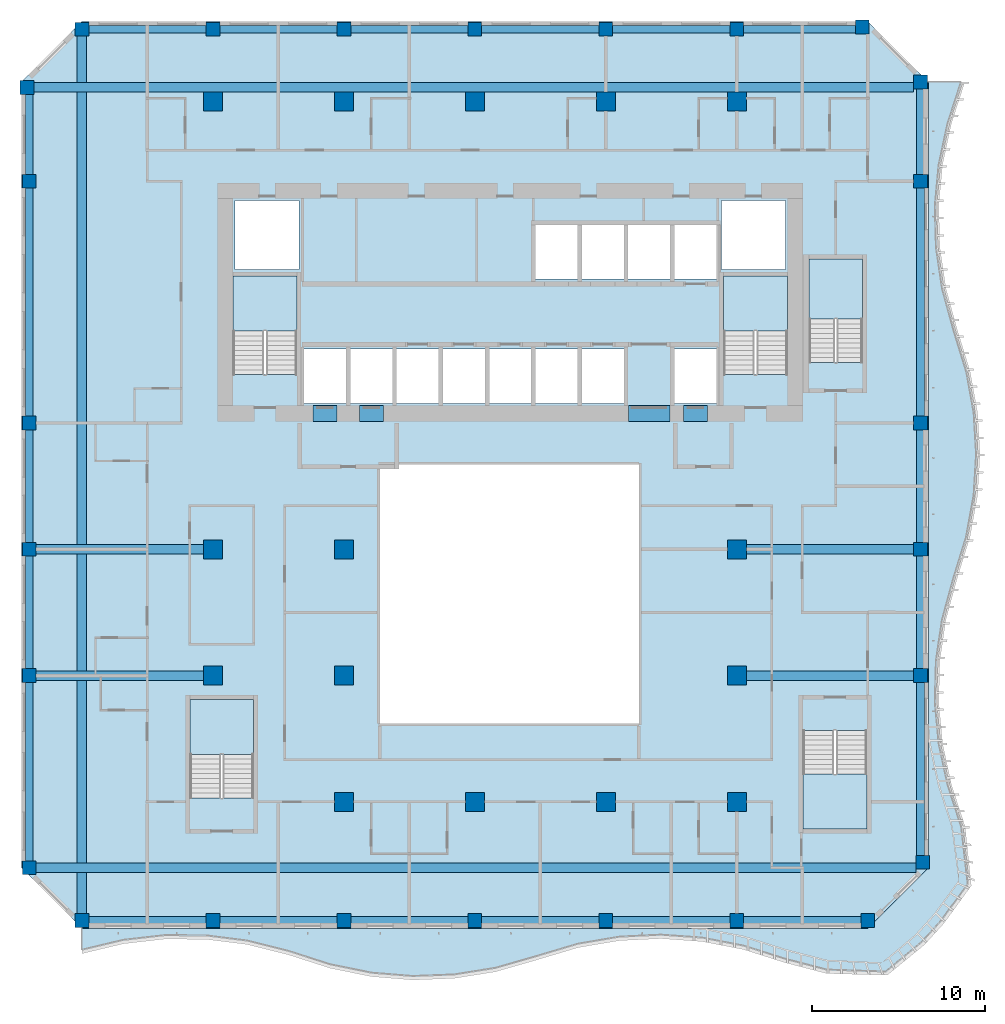
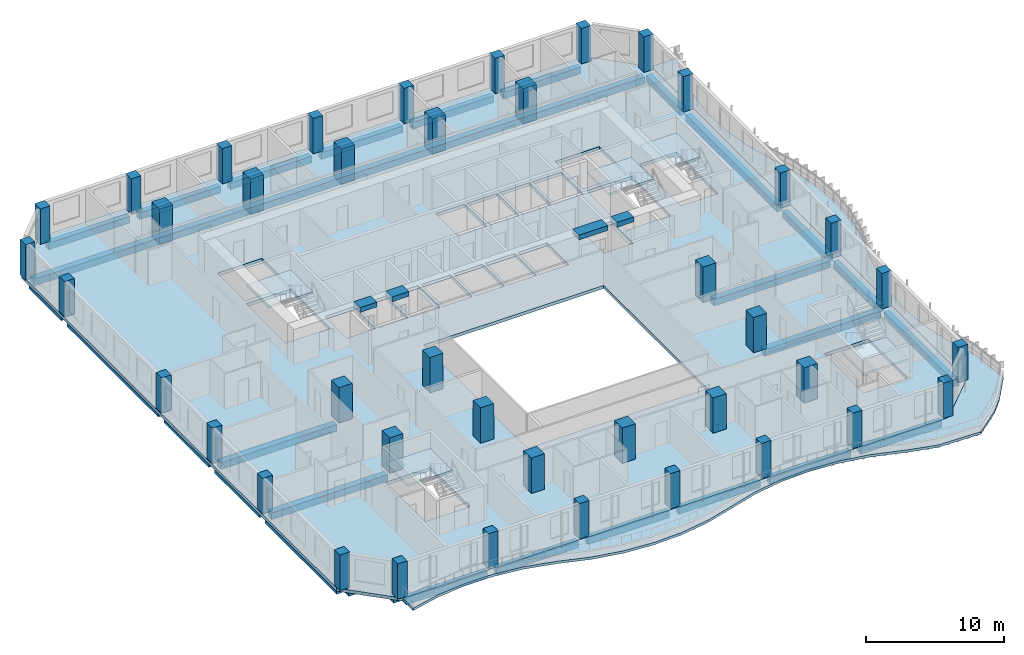
# One storey, part 1 of 22: 41 columns, 33 beams, 7 slabs, 5 elements without a shape of their own.
"""IFC4 building model written with IfcOpenShell, lengths in metres."""

from ifc_helpers import new_model, si_unit, direction, frame, origin, origin_2d, place, context, subcontext, project, spatial, polyline, rectangle, outline, extrude, source, transform, mapped, material, layer, layer_set, material_profile, profile_set, type_object, element, aggregate, save


model = new_model("IFC4")

# Units and contexts
model_context = context("Model", 3, precision=1e-05, world=origin(), true_north=direction((0.0, 1.0)))
body_context = subcontext(model_context, "Body", "Model", "MODEL_VIEW")
ifc_project = project(units=[si_unit("LENGTHUNIT", "METRE"), si_unit("AREAUNIT", "SQUARE_METRE"), si_unit("VOLUMEUNIT", "CUBIC_METRE"), si_unit("PLANEANGLEUNIT", "RADIAN"), si_unit("MASSUNIT", "GRAM", prefix="KILO")], contexts=[model_context])

# Site, building, storey
site_placement = place(None, origin())
site = spatial("IfcSite", under=ifc_project, at=site_placement, CompositionType="ELEMENT")
building_placement = place(site_placement, origin())
building = spatial("IfcBuilding", under=site, at=building_placement, Name="Kilnfold Tower and Market Hall", CompositionType="ELEMENT")
storey_placement = place(building_placement, frame((0.0, 0.0, 154.10009765625)))
storey = spatial("IfcBuildingStorey", under=building, at=storey_placement, Name="L35", CompositionType="ELEMENT", Elevation=154.10009765625)

# Columns
ifc_material_1 = material(Name="Concrete C70", Category="concrete")
ifc_material_profile_1 = material_profile(ifc_material_1, rectangle(XDim=0.800048828125, YDim=0.800048828125, at=origin_2d()), Name="RC 800x800")
ifc_profile_set_1 = profile_set([ifc_material_profile_1], Name="Concrete C70")
column_type_1 = type_object("IfcColumnType", Name="COLUMN 800X800 C70", PredefinedType="COLUMN", material=ifc_profile_set_1)
shared_shape_1 = source(origin(), body_context, "Body", "SweptSolid", [
    extrude(rectangle(XDim=0.800048828125, YDim=0.800048828125, at=origin_2d()), origin(), (0.0, 0.0, 1.0), 3.119873046875),
])
for number, where, z_axis, x_axis, name in (
    (1, (-26.931884765625, 27.431884765625, 0.0), (0.0, 0.0, 1.0), (1.0, 0.0, 0.0), "Column C-B4-1I"),
    (2, (-26.800048828125, -17.75, 0.0), (0.0, 0.0, 1.0), (1.0, 0.0, 0.0), "Column C-B4-1B"),
    (3, (-26.800048828125, -6.625, 0.0), (0.0, 0.0, 1.0), (1.0, 0.0, 0.0), "Column C-B4-1D"),
    (4, (-26.800048828125, 0.6875, 0.0), (0.0, 0.0, 1.0), (1.0, 0.0, 0.0), "Column C-B4-1E"),
    (5, (-26.800048828125, 8.0, 0.0), (0.0, 0.0, 1.0), (1.0, 0.0, 0.0), "Column C-B4-1F"),
    (6, (-26.800048828125, 22.0, 0.0), (0.0, 0.0, 1.0), (1.0, 0.0, 0.0), "Column C-B4-1G"),
    (7, (-23.75, -20.800048828125, 0.0), (0.0, 0.0, 1.0), (1.0, 0.0, 0.0), "Column C-B4-2A"),
    (8, (-23.75, 30.800048828125, 0.0), (0.0, 0.0, 1.0), (1.0, 0.0, 0.0), "Column C-B4-2J"),
    (9, (-16.166748046875, -20.800048828125, 0.0), (0.0, 0.0, 1.0), (1.0, 0.0, 0.0), "Column C-B4-3A"),
    (10, (-16.166748046875, 30.800048828125, 0.0), (0.0, 0.0, 1.0), (1.0, 0.0, 0.0), "Column C-B4-3J"),
    (11, (-8.583251953125, -20.800048828125, 0.0), (0.0, 0.0, 1.0), (1.0, 0.0, 0.0), "Column C-B4-4A"),
    (12, (-8.583251953125, 30.800048828125, 0.0), (0.0, 0.0, 1.0), (1.0, 0.0, 0.0), "Column C-B4-4J"),
    (13, (-1.0, -20.800048828125, 0.0), (0.0, 0.0, 1.0), (1.0, 0.0, 0.0), "Column C-B4-5A"),
    (14, (-1.0, 30.800048828125, 0.0), (0.0, 0.0, 1.0), (1.0, 0.0, 0.0), "Column C-B4-5J"),
    (15, (6.583251953125, -20.800048828125, 0.0), (0.0, 0.0, 1.0), (1.0, 0.0, 0.0), "Column C-B4-6A"),
    (16, (6.583251953125, 30.800048828125, 0.0), (0.0, 0.0, 1.0), (1.0, 0.0, 0.0), "Column C-B4-6J"),
    (17, (14.166748046875, -20.800048828125, 0.0), (0.0, 0.0, 1.0), (1.0, 0.0, 0.0), "Column C-B4-7A"),
    (18, (14.166748046875, 30.800048828125, 0.0), (0.0, 0.0, 1.0), (1.0, 0.0, 0.0), "Column C-B4-7J"),
    (19, (21.431884765625, 30.931884765625, 0.0), (0.0, 0.0, 1.0), (1.0, 0.0, 0.0), "Column C-B4-8J"),
    (20, (21.75, -20.800048828125, 0.0), (0.0, 0.0, 1.0), (1.0, 0.0, 0.0), "Column C-B4-8A"),
    (21, (24.800048828125, -6.625, 0.0), (0.0, 0.0, 1.0), (1.0, 0.0, 0.0), "Column C-B4-9D"),
    (22, (24.800048828125, 0.6875, 0.0), (0.0, 0.0, 1.0), (1.0, 0.0, 0.0), "Column C-B4-9E"),
    (23, (24.800048828125, 8.0, 0.0), (0.0, 0.0, 1.0), (1.0, 0.0, 0.0), "Column C-B4-9F"),
    (24, (24.800048828125, 22.0, 0.0), (0.0, 0.0, 1.0), (1.0, 0.0, 0.0), "Column C-B4-9G"),
    (25, (24.800048828125, 27.75, 0.0), (0.0, 0.0, 1.0), (1.0, 0.0, 0.0), "Column C-B4-9I"),
    (26, (24.931884765625, -17.431884765625, 0.0), (0.0, 0.0, 1.0), (1.0, 0.0, 0.0), "Column C-B4-9B"),
):
    element("IfcColumn", number, at=place(storey_placement, frame(where, z_axis=z_axis, x_axis=x_axis)), inside=storey, type_object=column_type_1, Name=name, PredefinedType="COLUMN", context=body_context, shape_type="MappedRepresentation", body=[
        mapped(shared_shape_1, transform((0.0, 0.0, 0.0))),
    ])
ifc_material_2 = material(Name="Concrete C70", Category="concrete")
ifc_material_profile_2 = material_profile(ifc_material_2, rectangle(XDim=1.10009765625, YDim=1.10009765625, at=origin_2d()), Name="RC 1100x1100")
ifc_profile_set_2 = profile_set([ifc_material_profile_2], Name="Concrete C70")
column_type_2 = type_object("IfcColumnType", Name="COLUMN 1100X1100 C70", PredefinedType="COLUMN", material=ifc_profile_set_2)
shared_shape_2 = source(origin(), body_context, "Body", "SweptSolid", [
    extrude(rectangle(XDim=1.10009765625, YDim=1.10009765625, at=origin_2d()), origin(), (0.0, 0.0, 1.0), 3.119873046875),
])
for number, where, z_axis, x_axis, name in (
    (27, (-16.166748046875, -6.625, 0.0), (0.0, 0.0, 1.0), (1.0, 0.0, 0.0), "Column C-B4-3D"),
    (28, (-16.166748046875, 0.6875, 0.0), (0.0, 0.0, 1.0), (1.0, 0.0, 0.0), "Column C-B4-3E"),
    (29, (-16.166748046875, 26.625, 0.0), (0.0, 0.0, 1.0), (1.0, 0.0, 0.0), "Column C-B4-3H"),
    (30, (-8.583251953125, -13.9375, 0.0), (0.0, 0.0, 1.0), (1.0, 0.0, 0.0), "Column C-B4-4C"),
    (31, (-8.583251953125, -6.625, 0.0), (0.0, 0.0, 1.0), (1.0, 0.0, 0.0), "Column C-B4-4D"),
    (32, (-8.583251953125, 0.6875, 0.0), (0.0, 0.0, 1.0), (1.0, 0.0, 0.0), "Column C-B4-4E"),
    (33, (-8.583251953125, 26.625, 0.0), (0.0, 0.0, 1.0), (1.0, 0.0, 0.0), "Column C-B4-4H"),
    (34, (-1.0, -13.9375, 0.0), (0.0, 0.0, 1.0), (1.0, 0.0, 0.0), "Column C-B4-5C"),
    (35, (-1.0, 26.625, 0.0), (0.0, 0.0, 1.0), (1.0, 0.0, 0.0), "Column C-B4-5H"),
    (36, (6.583251953125, -13.9375, 0.0), (0.0, 0.0, 1.0), (1.0, 0.0, 0.0), "Column C-B4-6C"),
    (37, (6.583251953125, 26.625, 0.0), (0.0, 0.0, 1.0), (1.0, 0.0, 0.0), "Column C-B4-6H"),
    (38, (14.166748046875, -13.9375, 0.0), (0.0, 0.0, 1.0), (1.0, 0.0, 0.0), "Column C-B4-7C"),
    (39, (14.166748046875, -6.625, 0.0), (0.0, 0.0, 1.0), (1.0, 0.0, 0.0), "Column C-B4-7D"),
    (40, (14.166748046875, 0.6875, 0.0), (0.0, 0.0, 1.0), (1.0, 0.0, 0.0), "Column C-B4-7E"),
    (41, (14.166748046875, 26.625, 0.0), (0.0, 0.0, 1.0), (1.0, 0.0, 0.0), "Column C-B4-7H"),
):
    element("IfcColumn", number, at=place(storey_placement, frame(where, z_axis=z_axis, x_axis=x_axis)), inside=storey, type_object=column_type_2, Name=name, PredefinedType="COLUMN", context=body_context, shape_type="MappedRepresentation", body=[
        mapped(shared_shape_2, transform((0.0, 0.0, 0.0))),
    ])

# Beams
ifc_material_3 = material(Name="Concrete C70", Category="concrete")
ifc_material_profile_3 = material_profile(ifc_material_3, rectangle(XDim=0.89990234375, YDim=0.419921875, at=origin_2d()), Name="RC 900x420")
ifc_profile_set_3 = profile_set([ifc_material_profile_3], Name="Concrete C70")
beam_type_1 = type_object("IfcBeamType", Name="COUPLING BEAM 900X420 C70", PredefinedType="BEAM", material=ifc_profile_set_3)
shared_shape_3 = source(origin(), body_context, "Body", "SweptSolid", [
    extrude(rectangle(XDim=0.89990234375, YDim=0.419921875, at=origin_2d()), origin(), (0.0, 0.0, 1.0), 1.400146484375),
])
beam_1_placement = place(storey_placement, frame((-10.3701171875, 8.550048828125, 2.909912109375), z_axis=(1.0, 0.0, 0.0), x_axis=(0.0, 1.0, 0.0)))
element("IfcBeam", 42, at=beam_1_placement, inside=storey, type_object=beam_type_1, Name="Coupling beam CB420-70-CORE.37", PredefinedType="BEAM", context=body_context, shape_type="MappedRepresentation", body=[
    mapped(shared_shape_3, transform((0.0, 0.0, 0.0))),
])
shared_shape_4 = source(origin(), body_context, "Body", "SweptSolid", [
    extrude(rectangle(XDim=0.89990234375, YDim=0.419921875, at=origin_2d()), origin(), (0.0, 0.0, 1.0), 1.39990234375),
])
for number, where, z_axis, x_axis, name in (
    (43, (-7.68994140625, 8.550048828125, 2.909912109375), (1.0, 0.0, 0.0), (0.0, 1.0, 0.0), "Coupling beam CB420-70-CORE.38"),
    (44, (11.070068359375, 8.550048828125, 2.909912109375), (1.0, 0.0, 0.0), (0.0, 1.0, 0.0), "Coupling beam CB420-70-CORE.40"),
):
    element("IfcBeam", number, at=place(storey_placement, frame(where, z_axis=z_axis, x_axis=x_axis)), inside=storey, type_object=beam_type_1, Name=name, PredefinedType="BEAM", context=body_context, shape_type="MappedRepresentation", body=[
        mapped(shared_shape_4, transform((0.0, 0.0, 0.0))),
    ])
shared_shape_5 = source(origin(), body_context, "Body", "SweptSolid", [
    extrude(rectangle(XDim=0.89990234375, YDim=0.419921875, at=origin_2d()), origin(), (0.0, 0.0, 1.0), 2.400146484375),
])
beam_2_placement = place(storey_placement, frame((7.889892578125, 8.550048828125, 2.909912109375), z_axis=(1.0, 0.0, 0.0), x_axis=(0.0, 1.0, 0.0)))
element("IfcBeam", 45, at=beam_2_placement, inside=storey, type_object=beam_type_1, Name="Coupling beam CB420-70-CORE.39", PredefinedType="BEAM", context=body_context, shape_type="MappedRepresentation", body=[
    mapped(shared_shape_5, transform((0.0, 0.0, 0.0))),
])
ifc_material_4 = material(Name="Concrete C45", Category="concrete")
ifc_material_profile_4 = material_profile(ifc_material_4, rectangle(XDim=0.449951171875, YDim=0.60009765625, at=origin_2d()), Name="RC 450x600")
ifc_profile_set_4 = profile_set([ifc_material_profile_4], Name="Concrete C45")
beam_type_2 = type_object("IfcBeamType", Name="EDGE BEAM 450X600 C45", PredefinedType="BEAM", material=ifc_profile_set_4)
shared_shape_6 = source(origin(), body_context, "Body", "SweptSolid", [
    extrude(rectangle(XDim=0.449951171875, YDim=0.60009765625, at=origin_2d()), origin(), (0.0, 0.0, 1.0), 6.783447265625),
])
for number, where, z_axis, x_axis, name in (
    (46, (-23.35009765625, -20.800048828125, -0.580078125), (1.0, 0.0, 0.0), (0.0, 1.0, 0.0), "Beam EB600-B4.76"),
    (47, (-8.183349609375, -20.800048828125, -0.580078125), (1.0, 0.0, 0.0), (0.0, 1.0, 0.0), "Beam EB600-B4.78"),
    (48, (-0.60009765625, -20.800048828125, -0.580078125), (1.0, 0.0, 0.0), (0.0, 1.0, 0.0), "Beam EB600-B4.79"),
    (49, (14.566650390625, -20.800048828125, -0.580078125), (1.0, 0.0, 0.0), (0.0, 1.0, 0.0), "Beam EB600-B4.81"),
    (50, (-23.35009765625, 30.800048828125, -0.580078125), (1.0, 0.0, 0.0), (0.0, 1.0, 0.0), "Beam EB600-B4.88"),
    (51, (-8.183349609375, 30.800048828125, -0.580078125), (1.0, 0.0, 0.0), (0.0, 1.0, 0.0), "Beam EB600-B4.90"),
    (52, (-0.60009765625, 30.800048828125, -0.580078125), (1.0, 0.0, 0.0), (0.0, 1.0, 0.0), "Beam EB600-B4.91"),
):
    element("IfcBeam", number, at=place(storey_placement, frame(where, z_axis=z_axis, x_axis=x_axis)), inside=storey, type_object=beam_type_2, Name=name, PredefinedType="BEAM", context=body_context, shape_type="MappedRepresentation", body=[
        mapped(shared_shape_6, transform((0.0, 0.0, 0.0))),
    ])
shared_shape_7 = source(origin(), body_context, "Body", "SweptSolid", [
    extrude(rectangle(XDim=0.449951171875, YDim=0.60009765625, at=origin_2d()), origin(), (0.0, 0.0, 1.0), 6.783203125),
])
for number, where, z_axis, x_axis, name in (
    (53, (-15.7666015625, -20.800048828125, -0.580078125), (1.0, 0.0, 0.0), (0.0, 1.0, 0.0), "Beam EB600-B4.77"),
    (54, (6.9833984375, -20.800048828125, -0.580078125), (1.0, 0.0, 0.0), (0.0, 1.0, 0.0), "Beam EB600-B4.80"),
    (55, (-15.7666015625, 30.800048828125, -0.580078125), (1.0, 0.0, 0.0), (0.0, 1.0, 0.0), "Beam EB600-B4.89"),
    (56, (6.9833984375, 30.800048828125, -0.580078125), (1.0, 0.0, 0.0), (0.0, 1.0, 0.0), "Beam EB600-B4.92"),
):
    element("IfcBeam", number, at=place(storey_placement, frame(where, z_axis=z_axis, x_axis=x_axis)), inside=storey, type_object=beam_type_2, Name=name, PredefinedType="BEAM", context=body_context, shape_type="MappedRepresentation", body=[
        mapped(shared_shape_7, transform((0.0, 0.0, 0.0))),
    ])
ifc_material_5 = material(Name="Concrete C45", Category="concrete")
ifc_material_profile_5 = material_profile(ifc_material_5, rectangle(XDim=0.550048828125, YDim=0.60009765625, at=origin_2d()), Name="RC 550x600")
ifc_profile_set_5 = profile_set([ifc_material_profile_5], Name="Concrete C45")
beam_type_3 = type_object("IfcBeamType", Name="BEAM 550X600 C45", PredefinedType="BEAM", material=ifc_profile_set_5)
shared_shape_8 = source(origin(), body_context, "Body", "SweptSolid", [
    extrude(rectangle(XDim=0.550048828125, YDim=0.60009765625, at=origin_2d()), origin(), (0.0, 0.0, 1.0), 50.931640625),
])
for number, where, z_axis, x_axis, name in (
    (57, (-26.39990234375, -17.75, -0.580078125), (1.0, 0.0, 0.0), (0.0, 1.0, 0.0), "Beam BB600-B4.82"),
    (58, (-26.53173828125, 27.429931640625, -0.580078125), (1.0, 0.0, 0.0), (0.0, 1.0, 0.0), "Beam BB600-B4.87"),
):
    element("IfcBeam", number, at=place(storey_placement, frame(where, z_axis=z_axis, x_axis=x_axis)), inside=storey, type_object=beam_type_3, Name=name, PredefinedType="BEAM", context=body_context, shape_type="MappedRepresentation", body=[
        mapped(shared_shape_8, transform((0.0, 0.0, 0.0))),
    ])
shared_shape_9 = source(origin(), body_context, "Body", "SweptSolid", [
    extrude(rectangle(XDim=0.550048828125, YDim=0.60009765625, at=origin_2d()), origin(), (0.0, 0.0, 1.0), 9.68310546875),
])
for number, where, z_axis, x_axis, name in (
    (59, (-26.39990234375, -6.6201171875, -0.580078125), (1.0, 0.0, 0.0), (0.0, 1.0, 0.0), "Beam BB600-B4.83"),
    (60, (14.716796875, -6.6201171875, -0.580078125), (1.0, 0.0, 0.0), (0.0, 1.0, 0.0), "Beam BB600-B4.84"),
    (61, (-26.39990234375, 0.68994140625, -0.580078125), (1.0, 0.0, 0.0), (0.0, 1.0, 0.0), "Beam BB600-B4.85"),
    (62, (14.716796875, 0.68994140625, -0.580078125), (1.0, 0.0, 0.0), (0.0, 1.0, 0.0), "Beam BB600-B4.86"),
):
    element("IfcBeam", number, at=place(storey_placement, frame(where, z_axis=z_axis, x_axis=x_axis)), inside=storey, type_object=beam_type_3, Name=name, PredefinedType="BEAM", context=body_context, shape_type="MappedRepresentation", body=[
        mapped(shared_shape_9, transform((0.0, 0.0, 0.0))),
    ])
shared_shape_10 = source(origin(), body_context, "Body", "SweptSolid", [
    extrude(rectangle(XDim=0.449951171875, YDim=0.60009765625, at=origin_2d()), origin(), (0.0, 0.0, 1.0), 6.465087890625),
])
beam_3_placement = place(storey_placement, frame((14.566650390625, 30.800048828125, -0.580078125), z_axis=(1.0, 0.0, 0.0), x_axis=(0.0, 1.0, 0.0)))
element("IfcBeam", 63, at=beam_3_placement, inside=storey, type_object=beam_type_2, Name="Beam EB600-B4.93", PredefinedType="BEAM", context=body_context, shape_type="MappedRepresentation", body=[
    mapped(shared_shape_10, transform((0.0, 0.0, 0.0))),
])
shared_shape_11 = source(origin(), body_context, "Body", "SweptSolid", [
    extrude(rectangle(XDim=0.449951171875, YDim=0.60009765625, at=origin_2d()), origin(), (0.0, 0.0, 1.0), 10.3251953125),
])
beam_4_placement = place(storey_placement, frame((-26.800048828125, -17.35009765625, -0.580078125), z_axis=(0.0, 1.0, 0.0), x_axis=(-1.0, 0.0, 0.0)))
element("IfcBeam", 64, at=beam_4_placement, inside=storey, type_object=beam_type_2, Name="Beam EB600-B4.94", PredefinedType="BEAM", context=body_context, shape_type="MappedRepresentation", body=[
    mapped(shared_shape_11, transform((0.0, 0.0, 0.0))),
])
shared_shape_12 = source(origin(), body_context, "Body", "SweptSolid", [
    extrude(rectangle(XDim=0.449951171875, YDim=0.60009765625, at=origin_2d()), origin(), (0.0, 0.0, 1.0), 6.5126953125),
])
for number, where, z_axis, x_axis, name in (
    (65, (-26.800048828125, -6.22509765625, -0.580078125), (0.0, 1.0, 0.0), (-1.0, 0.0, 0.0), "Beam EB600-B4.95"),
    (66, (-26.800048828125, 1.08740234375, -0.580078125), (0.0, 1.0, 0.0), (-1.0, 0.0, 0.0), "Beam EB600-B4.96"),
    (67, (24.800048828125, -6.22509765625, -0.580078125), (0.0, 1.0, 0.0), (-1.0, 0.0, 0.0), "Beam EB600-B4.101"),
    (68, (24.800048828125, 1.08740234375, -0.580078125), (0.0, 1.0, 0.0), (-1.0, 0.0, 0.0), "Beam EB600-B4.102"),
):
    element("IfcBeam", number, at=place(storey_placement, frame(where, z_axis=z_axis, x_axis=x_axis)), inside=storey, type_object=beam_type_2, Name=name, PredefinedType="BEAM", context=body_context, shape_type="MappedRepresentation", body=[
        mapped(shared_shape_12, transform((0.0, 0.0, 0.0))),
    ])
shared_shape_13 = source(origin(), body_context, "Body", "SweptSolid", [
    extrude(rectangle(XDim=0.449951171875, YDim=0.60009765625, at=origin_2d()), origin(), (0.0, 0.0, 1.0), 13.2001953125),
])
for number, where, z_axis, x_axis, name in (
    (69, (-26.800048828125, 8.39990234375, -0.580078125), (0.0, 1.0, 0.0), (-1.0, 0.0, 0.0), "Beam EB600-B4.97"),
    (70, (24.800048828125, 8.39990234375, -0.580078125), (0.0, 1.0, 0.0), (-1.0, 0.0, 0.0), "Beam EB600-B4.103"),
):
    element("IfcBeam", number, at=place(storey_placement, frame(where, z_axis=z_axis, x_axis=x_axis)), inside=storey, type_object=beam_type_2, Name=name, PredefinedType="BEAM", context=body_context, shape_type="MappedRepresentation", body=[
        mapped(shared_shape_13, transform((0.0, 0.0, 0.0))),
    ])
shared_shape_14 = source(origin(), body_context, "Body", "SweptSolid", [
    extrude(rectangle(XDim=0.449951171875, YDim=0.60009765625, at=origin_2d()), origin(), (0.0, 0.0, 1.0), 4.6318359375),
])
beam_5_placement = place(storey_placement, frame((-26.800048828125, 22.39990234375, -0.580078125), z_axis=(0.0, 1.0, 0.0), x_axis=(-1.0, 0.0, 0.0)))
element("IfcBeam", 71, at=beam_5_placement, inside=storey, type_object=beam_type_2, Name="Beam EB600-B4.98", PredefinedType="BEAM", context=body_context, shape_type="MappedRepresentation", body=[
    mapped(shared_shape_14, transform((0.0, 0.0, 0.0))),
])
shared_shape_15 = source(origin(), body_context, "Body", "SweptSolid", [
    extrude(rectangle(XDim=0.550048828125, YDim=0.60009765625, at=origin_2d()), origin(), (0.0, 0.0, 1.0), 50.7998046875),
])
beam_6_placement = place(storey_placement, frame((-23.75, -20.39990234375, -0.580078125), z_axis=(0.0, 1.0, 0.0), x_axis=(-1.0, 0.0, 0.0)))
element("IfcBeam", 72, at=beam_6_placement, inside=storey, type_object=beam_type_3, Name="Beam BB600-B4.99", PredefinedType="BEAM", context=body_context, shape_type="MappedRepresentation", body=[
    mapped(shared_shape_15, transform((0.0, 0.0, 0.0))),
])
shared_shape_16 = source(origin(), body_context, "Body", "SweptSolid", [
    extrude(rectangle(XDim=0.449951171875, YDim=0.60009765625, at=origin_2d()), origin(), (0.0, 0.0, 1.0), 10.0068359375),
])
beam_7_placement = place(storey_placement, frame((24.800048828125, -17.03173828125, -0.580078125), z_axis=(0.0, 1.0, 0.0), x_axis=(-1.0, 0.0, 0.0)))
element("IfcBeam", 73, at=beam_7_placement, inside=storey, type_object=beam_type_2, Name="Beam EB600-B4.100", PredefinedType="BEAM", context=body_context, shape_type="MappedRepresentation", body=[
    mapped(shared_shape_16, transform((0.0, 0.0, 0.0))),
])
shared_shape_17 = source(origin(), body_context, "Body", "SweptSolid", [
    extrude(rectangle(XDim=0.449951171875, YDim=0.60009765625, at=origin_2d()), origin(), (0.0, 0.0, 1.0), 4.9501953125),
])
beam_8_placement = place(storey_placement, frame((24.800048828125, 22.39990234375, -0.580078125), z_axis=(0.0, 1.0, 0.0), x_axis=(-1.0, 0.0, 0.0)))
element("IfcBeam", 74, at=beam_8_placement, inside=storey, type_object=beam_type_2, Name="Beam EB600-B4.104", PredefinedType="BEAM", context=body_context, shape_type="MappedRepresentation", body=[
    mapped(shared_shape_17, transform((0.0, 0.0, 0.0))),
])

# Slabs
ifc_material_6 = material(Name="Concrete C45", Category="concrete")
ifc_layer_1 = layer(ifc_material_6, 0.280029296875)
ifc_layer_set_1 = layer_set([ifc_layer_1], Name="Concrete C45")
slab_type_1 = type_object("IfcSlabType", Name="FLOOR SLAB 280", PredefinedType="FLOOR", material=ifc_layer_set_1)
shared_shape_18 = source(origin(), body_context, "Body", "SweptSolid", [
    extrude(outline(polyline([(-23.75, -21.25), (21.75, -21.25), (25.25, -17.75), (25.25, 27.75), (21.75, 31.25), (-23.75, 31.25), (-27.25, 27.75), (-27.25, -17.75), (-23.75, -21.25)]), holes=[polyline([(-13.800537109375, -13.699462890625), (-17.49951171875, -13.699462890625), (-17.49951171875, -8.00048828125), (-13.800537109375, -8.00048828125), (-13.800537109375, -13.699462890625)]), polyline([(-11.300537109375, 10.800537109375), (-14.99951171875, 10.800537109375), (-14.99951171875, 16.49951171875), (-11.300537109375, 16.49951171875), (-11.300537109375, 10.800537109375)]), polyline([(-14.875, 16.875), (-14.875, 20.875), (-11.175048828125, 20.875), (-11.175048828125, 16.875), (-14.875, 16.875)]), polyline([(-8.455078125, 9.125), (-10.885009765625, 9.125), (-10.885009765625, 12.27490234375), (-8.455078125, 12.27490234375), (-8.455078125, 9.125)]), polyline([(-8.205078125, 9.125), (-8.205078125, 12.27490234375), (-5.77490234375, 12.27490234375), (-5.77490234375, 9.125), (-8.205078125, 9.125)]), polyline([(8.5, -9.39990234375), (-6.5, -9.39990234375), (-6.5, 5.60009765625), (8.5, 5.60009765625), (8.5, -9.39990234375)]), polyline([(-5.52490234375, 9.125), (-5.52490234375, 12.27490234375), (-3.094970703125, 12.27490234375), (-3.094970703125, 9.125), (-5.52490234375, 9.125)]), polyline([(-0.4150390625, 9.125), (-2.844970703125, 9.125), (-2.844970703125, 12.27490234375), (-0.4150390625, 12.27490234375), (-0.4150390625, 9.125)]), polyline([(2.264892578125, 9.125), (-0.1650390625, 9.125), (-0.1650390625, 12.27490234375), (2.264892578125, 12.27490234375), (2.264892578125, 9.125)]), polyline([(4.945068359375, 9.125), (2.514892578125, 9.125), (2.514892578125, 12.27490234375), (4.945068359375, 12.27490234375), (4.945068359375, 9.125)]), polyline([(2.514892578125, 16.324951171875), (2.514892578125, 19.47509765625), (4.945068359375, 19.47509765625), (4.945068359375, 16.324951171875), (2.514892578125, 16.324951171875)]), polyline([(7.625, 9.125), (5.195068359375, 9.125), (5.195068359375, 12.27490234375), (7.625, 12.27490234375), (7.625, 9.125)]), polyline([(7.625, 16.324951171875), (5.195068359375, 16.324951171875), (5.195068359375, 19.47509765625), (7.625, 19.47509765625), (7.625, 16.324951171875)]), polyline([(10.304931640625, 16.324951171875), (7.875, 16.324951171875), (7.875, 19.47509765625), (10.304931640625, 19.47509765625), (10.304931640625, 16.324951171875)]), polyline([(10.554931640625, 9.125), (10.554931640625, 12.27490234375), (12.985107421875, 12.27490234375), (12.985107421875, 9.125), (10.554931640625, 9.125)]), polyline([(10.554931640625, 16.324951171875), (10.554931640625, 19.47509765625), (12.985107421875, 19.47509765625), (12.985107421875, 16.324951171875), (10.554931640625, 16.324951171875)]), polyline([(13.27490234375, 16.875), (13.27490234375, 20.875), (16.97509765625, 20.875), (16.97509765625, 16.875), (13.27490234375, 16.875)]), polyline([(13.400390625, 10.800537109375), (13.400390625, 16.49951171875), (17.099609375, 16.49951171875), (17.099609375, 10.800537109375), (13.400390625, 10.800537109375)]), polyline([(18.00048828125, -9.800537109375), (21.699462890625, -9.800537109375), (21.699462890625, -15.49951171875), (18.00048828125, -15.49951171875), (18.00048828125, -9.800537109375)]), polyline([(21.449462890625, 11.50048828125), (18.3505859375, 11.50048828125), (18.3505859375, 17.49951171875), (21.449462890625, 17.49951171875), (21.449462890625, 11.50048828125)])]), origin(), (0.0, 0.0, 1.0), 0.280029296875),
])
slab_1_placement = place(storey_placement, frame((0.0, 0.0, -0.280029296875)))
element("IfcSlab", 75, at=slab_1_placement, inside=storey, type_object=slab_type_1, Name="Floor slab L35", PredefinedType="FLOOR", context=body_context, shape_type="MappedRepresentation", body=[
    mapped(shared_shape_18, transform((0.0, 0.0, 0.0))),
])
ifc_material_7 = material(Name="Concrete C40/50", Category="concrete")
ifc_layer_2 = layer(ifc_material_7, 0.219970703125)
ifc_layer_set_2 = layer_set([ifc_layer_2], Name="Concrete C40/50")
slab_type_2 = type_object("IfcSlabType", Name="BALCONY SLAB 220", PredefinedType="FLOOR", material=ifc_layer_set_2)
shared_shape_19 = source(origin(), body_context, "Body", "SweptSolid", [
    extrude(outline(polyline([(-23.75, -21.25), (21.75, -21.25), (25.25, -17.75), (25.25, 27.75), (27.37548828125, 27.75), (26.5966796875, 25.355224609375), (26.080810546875, 22.96044921875), (25.8603515625, 20.56591796875), (25.92578125, 18.171142578125), (26.279541015625, 15.7763671875), (26.938232421875, 13.381591796875), (27.67626953125, 10.98681640625), (28.10888671875, 8.592041015625), (28.25, 6.197509765625), (28.105712890625, 3.802490234375), (27.669921875, 1.407958984375), (26.929443359375, -0.98681640625), (26.2744140625, -3.381591796875), (25.923583984375, -5.7763671875), (25.861328125, -8.171142578125), (26.084716796875, -10.56591796875), (26.60400390625, -12.96044921875), (27.383544921875, -15.355224609375), (27.746337890625, -18.783935546875), (26.1474609375, -20.98095703125), (25.03759765625, -22.2041015625), (22.876708984375, -23.97021484375), (19.355224609375, -23.871337890625), (16.96044921875, -23.245849609375), (14.56591796875, -22.486572265625), (12.171142578125, -22.0224609375), (9.7763671875, -21.851318359375), (7.381591796875, -21.9658203125), (4.98681640625, -22.370361328125), (2.592041015625, -23.08349609375), (0.197509765625, -23.77197265625), (-2.197509765625, -24.153564453125), (-4.592041015625, -24.24560546875), (-6.98681640625, -24.052001953125), (-9.381591796875, -23.564697265625), (-11.7763671875, -22.794189453125), (-14.171142578125, -22.193115234375), (-16.56591796875, -21.892578125), (-18.96044921875, -21.879150390625), (-21.355224609375, -22.15234375), (-23.75, -22.724365234375), (-23.75, -21.25)])), origin(), (0.0, 0.0, 1.0), 0.22021484375),
])
slab_2_placement = place(storey_placement, frame((0.0, 0.0, -0.22021484375)))
element("IfcSlab", 76, at=slab_2_placement, inside=storey, type_object=slab_type_2, Name="Balcony slab L35", PredefinedType="FLOOR", context=body_context, shape_type="MappedRepresentation", body=[
    mapped(shared_shape_19, transform((0.0, 0.0, 0.0))),
])

# Stair, slab
ifc_material_8 = material(Name="Concrete C40/50", Category="concrete")
stair_type_1 = type_object("IfcStairType", Name="CORE STAIR 1800", PredefinedType="HALF_TURN_STAIR", material=ifc_material_8)
stair_1_placement = place(storey_placement, origin())
stair_1 = element("IfcStair", 77, at=stair_1_placement, inside=storey, type_object=stair_type_1, Name="L35 ST1", PredefinedType="HALF_TURN_STAIR")
ifc_material_9 = material(Name="Concrete C40/50", Category="concrete")
ifc_layer_3 = layer(ifc_material_9, 0.199951171875)
ifc_layer_set_3 = layer_set([ifc_layer_3], Name="Concrete C40/50")
slab_type_3 = type_object("IfcSlabType", Name="CORE STAIR LANDING 200", PredefinedType="LANDING", material=ifc_layer_set_3)
shared_shape_20 = source(origin(), body_context, "Body", "SweptSolid", [
    extrude(outline(polyline([(-11.300048828125, 13.320068359375), (-11.300048828125, 16.5), (-15.0, 16.5), (-15.0, 13.320068359375), (-11.300048828125, 13.320068359375)])), origin(), (0.0, 0.0, 1.0), 0.199951171875),
])
slab_3_placement = place(storey_placement, frame((0.0, 0.0, 1.5)))
slab_3 = element("IfcSlab", 78, at=slab_3_placement, type_object=slab_type_3, Name="ST1 landing 1", PredefinedType="LANDING", context=body_context, shape_type="MappedRepresentation", body=[
    mapped(shared_shape_20, transform((0.0, 0.0, 0.0))),
])
aggregate(stair_1, [slab_3])

stair_2_placement = place(storey_placement, origin())
stair_2 = element("IfcStair", 79, at=stair_2_placement, inside=storey, type_object=stair_type_1, Name="L35 ST2", PredefinedType="HALF_TURN_STAIR")
shared_shape_21 = source(origin(), body_context, "Body", "SweptSolid", [
    extrude(outline(polyline([(17.10009765625, 13.320068359375), (17.10009765625, 16.5), (13.39990234375, 16.5), (13.39990234375, 13.320068359375), (17.10009765625, 13.320068359375)])), origin(), (0.0, 0.0, 1.0), 0.199951171875),
])
slab_4_placement = place(storey_placement, frame((0.0, 0.0, 1.5)))
slab_4 = element("IfcSlab", 80, at=slab_4_placement, type_object=slab_type_3, Name="ST2 landing 1", PredefinedType="LANDING", context=body_context, shape_type="MappedRepresentation", body=[
    mapped(shared_shape_21, transform((0.0, 0.0, 0.0))),
])
aggregate(stair_2, [slab_4])

stair_3_placement = place(storey_placement, origin())
stair_3 = element("IfcStair", 81, at=stair_3_placement, inside=storey, type_object=stair_type_1, Name="L35 ST3", PredefinedType="HALF_TURN_STAIR")
shared_shape_22 = source(origin(), body_context, "Body", "SweptSolid", [
    extrude(outline(polyline([(-13.800048828125, -11.179931640625), (-13.800048828125, -8.0), (-17.5, -8.0), (-17.5, -11.179931640625), (-13.800048828125, -11.179931640625)])), origin(), (0.0, 0.0, 1.0), 0.199951171875),
])
slab_5_placement = place(storey_placement, frame((0.0, 0.0, 1.5)))
slab_5 = element("IfcSlab", 82, at=slab_5_placement, type_object=slab_type_3, Name="ST3 landing 1", PredefinedType="LANDING", context=body_context, shape_type="MappedRepresentation", body=[
    mapped(shared_shape_22, transform((0.0, 0.0, 0.0))),
])
aggregate(stair_3, [slab_5])

stair_4_placement = place(storey_placement, origin())
stair_4 = element("IfcStair", 83, at=stair_4_placement, inside=storey, type_object=stair_type_1, Name="L35 ST4", PredefinedType="HALF_TURN_STAIR")
shared_shape_23 = source(origin(), body_context, "Body", "SweptSolid", [
    extrude(outline(polyline([(18.0, -12.320068359375), (18.0, -15.5), (21.699951171875, -15.5), (21.699951171875, -12.320068359375), (18.0, -12.320068359375)])), origin(), (0.0, 0.0, 1.0), 0.199951171875),
])
slab_6_placement = place(storey_placement, frame((0.0, 0.0, 1.5)))
slab_6 = element("IfcSlab", 84, at=slab_6_placement, type_object=slab_type_3, Name="ST4 landing 1", PredefinedType="LANDING", context=body_context, shape_type="MappedRepresentation", body=[
    mapped(shared_shape_23, transform((0.0, 0.0, 0.0))),
])
aggregate(stair_4, [slab_6])

ifc_material_10 = material(Name="Concrete C40/50", Category="concrete")
stair_type_2 = type_object("IfcStairType", Name="CORE STAIR 1500", PredefinedType="HALF_TURN_STAIR", material=ifc_material_10)
stair_5_placement = place(storey_placement, origin())
stair_5 = element("IfcStair", 85, at=stair_5_placement, inside=storey, type_object=stair_type_2, Name="L35 ST5", PredefinedType="HALF_TURN_STAIR")
shared_shape_24 = source(origin(), body_context, "Body", "SweptSolid", [
    extrude(outline(polyline([(21.449951171875, 14.02001953125), (21.449951171875, 17.5), (18.35009765625, 17.5), (18.35009765625, 14.02001953125), (21.449951171875, 14.02001953125)])), origin(), (0.0, 0.0, 1.0), 0.199951171875),
])
slab_7_placement = place(storey_placement, frame((0.0, 0.0, 1.5)))
slab_7 = element("IfcSlab", 86, at=slab_7_placement, type_object=slab_type_3, Name="ST5 landing 1", PredefinedType="LANDING", context=body_context, shape_type="MappedRepresentation", body=[
    mapped(shared_shape_24, transform((0.0, 0.0, 0.0))),
])
aggregate(stair_5, [slab_7])

save(model, "model.ifc")
